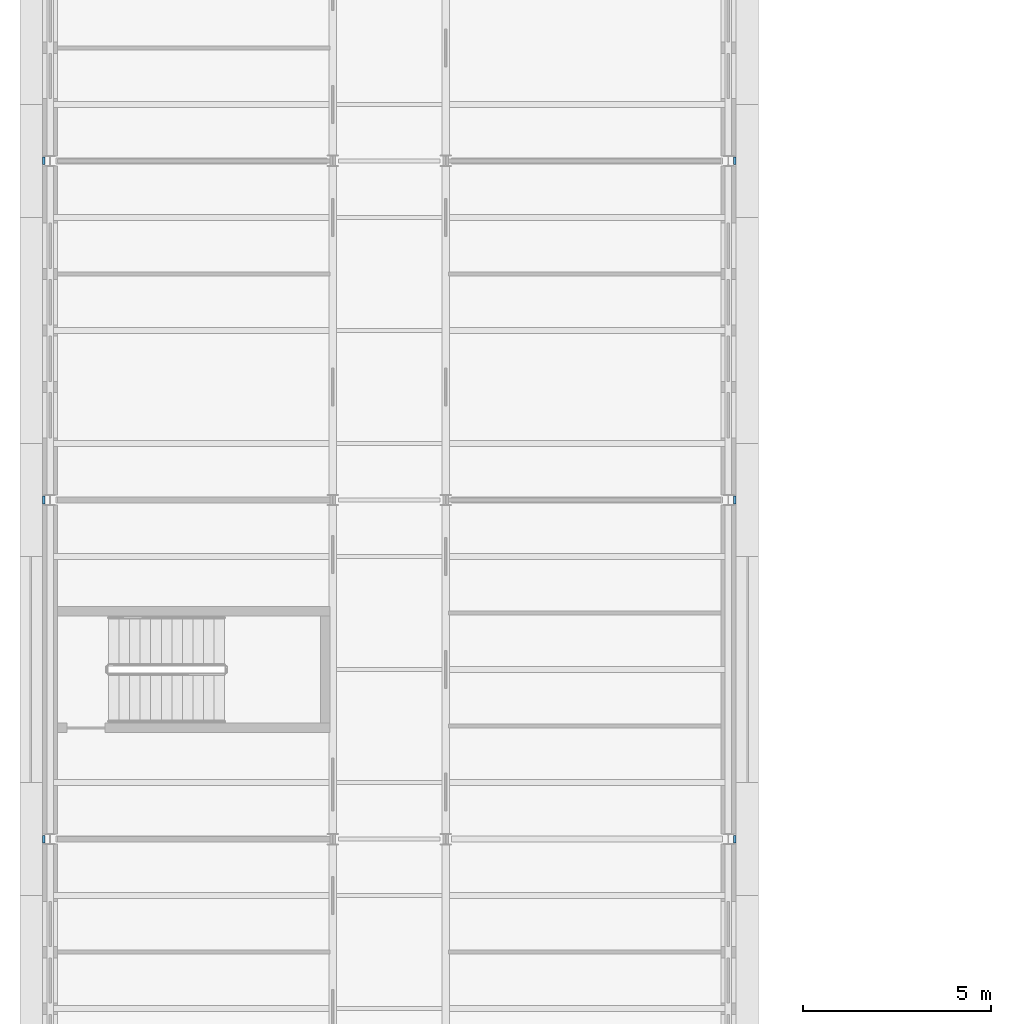
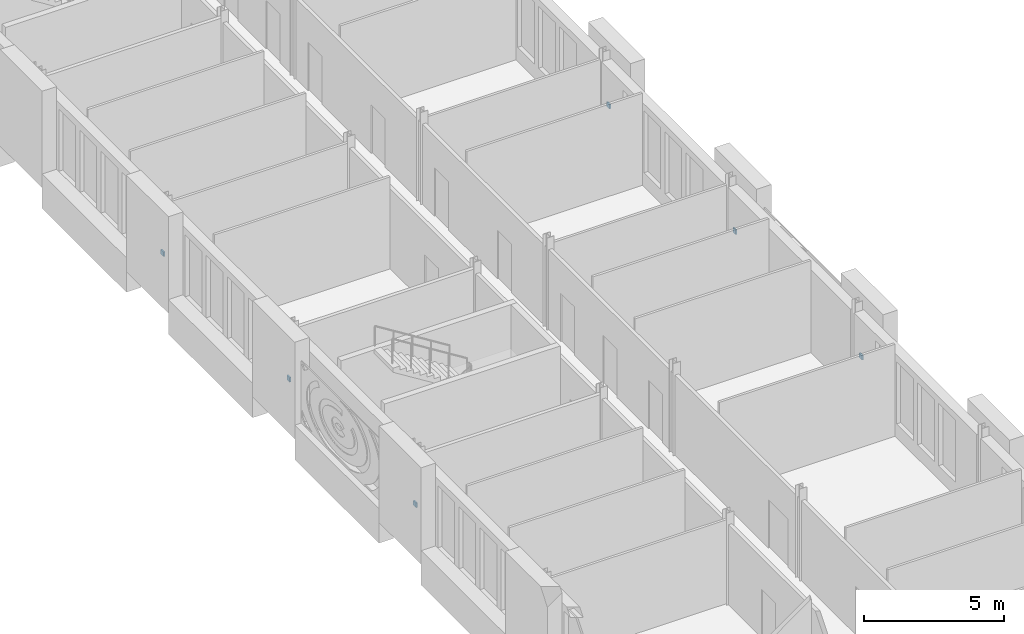
# One storey, part 121 of 154: 6 discrete accessories.
"""IFC4 building model written with IfcOpenShell, lengths in metres."""

from ifc_helpers import new_model, si_unit, direction, frame, origin, origin_2d, place, context, subcontext, project, spatial, rectangle, extrude, material, type_object, element, save


model = new_model("IFC4")

# Units and contexts
model_context = context("Model", 3, precision=1e-05, world=origin(), true_north=direction((0.0, 1.0)))
body_context = subcontext(model_context, "Body", "Model", "MODEL_VIEW")
ifc_project = project(units=[si_unit("LENGTHUNIT", "METRE"), si_unit("AREAUNIT", "SQUARE_METRE"), si_unit("VOLUMEUNIT", "CUBIC_METRE"), si_unit("PLANEANGLEUNIT", "RADIAN"), si_unit("MASSUNIT", "GRAM", prefix="KILO")], contexts=[model_context])

# Site, building, storey
site_placement = place(None, origin())
site = spatial("IfcSite", under=ifc_project, at=site_placement, CompositionType="ELEMENT")
building_placement = place(site_placement, origin())
building = spatial("IfcBuilding", under=site, at=building_placement, Name="Golden Quay Civic Hall", CompositionType="ELEMENT")
storey_placement = place(building_placement, frame((0.0, 0.0, 14.39990234375)))
storey = spatial("IfcBuildingStorey", under=building, at=storey_placement, Name="L03", CompositionType="ELEMENT", Elevation=14.39990234375)

# Discrete accessories
ifc_material = material(Name="Steel S355", Category="steel")
discrete_accessory_type = type_object("IfcDiscreteAccessoryType", Name="Pier fixing bracket 200 x 200", PredefinedType="BRACKET", material=ifc_material)
for number, where, z_axis, x_axis, name in (
    (1, (-0.169921875, 27.0, 1.39990234375), (0.0, 0.0, 1.0), (0.0, -1.0, 0.0), "Pier fixing bracket 200 x 200 L03 3"),
    (2, (-0.169921875, 36.0, 1.39990234375), (0.0, 0.0, 1.0), (0.0, -1.0, 0.0), "Pier fixing bracket 200 x 200 L03 4"),
    (3, (-0.169921875, 45.0, 1.39990234375), (0.0, 0.0, 1.0), (0.0, -1.0, 0.0), "Pier fixing bracket 200 x 200 L03 5"),
    (4, (18.169921875, 27.0, 1.39990234375), (0.0, 0.0, 1.0), (0.0, 1.0, 0.0), "Pier fixing bracket 200 x 200 L03 11"),
    (5, (18.169921875, 36.0, 1.39990234375), (0.0, 0.0, 1.0), (0.0, 1.0, 0.0), "Pier fixing bracket 200 x 200 L03 12"),
    (6, (18.169921875, 45.0, 1.39990234375), (0.0, 0.0, 1.0), (0.0, 1.0, 0.0), "Pier fixing bracket 200 x 200 L03 13"),
):
    element("IfcDiscreteAccessory", number, at=place(storey_placement, frame(where, z_axis=z_axis, x_axis=x_axis)), inside=storey, type_object=discrete_accessory_type, Name=name, PredefinedType="BRACKET", context=body_context, shape_type="SweptSolid", body=[
        extrude(rectangle(XDim=0.199951171875, YDim=0.06005859375, at=origin_2d()), origin(), (0.0, 0.0, 1.0), 0.199951171875),
    ])

save(model, "model.ifc")
